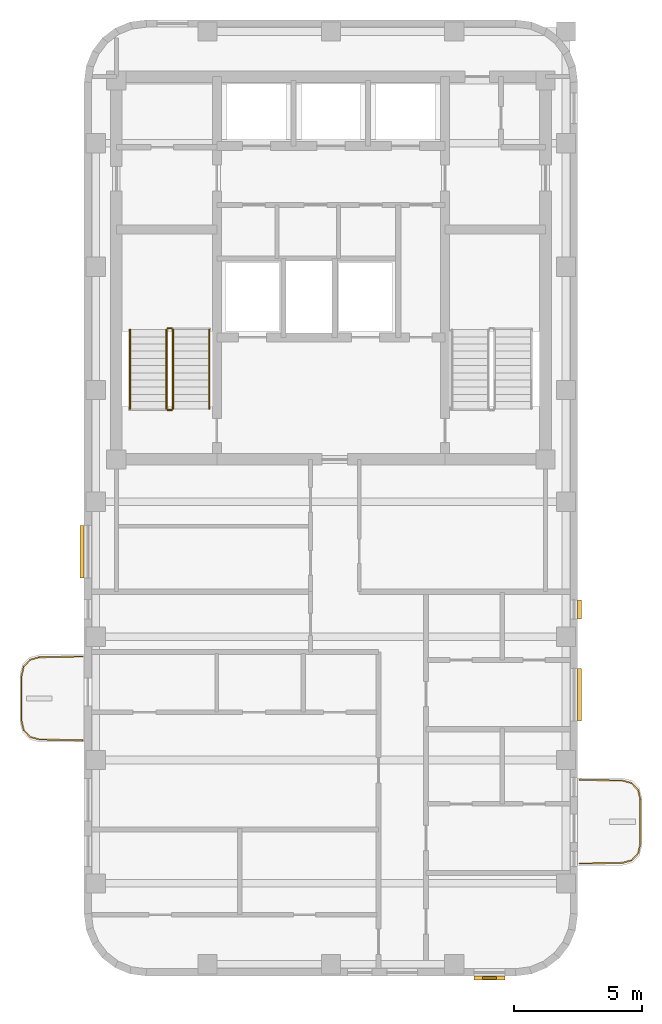
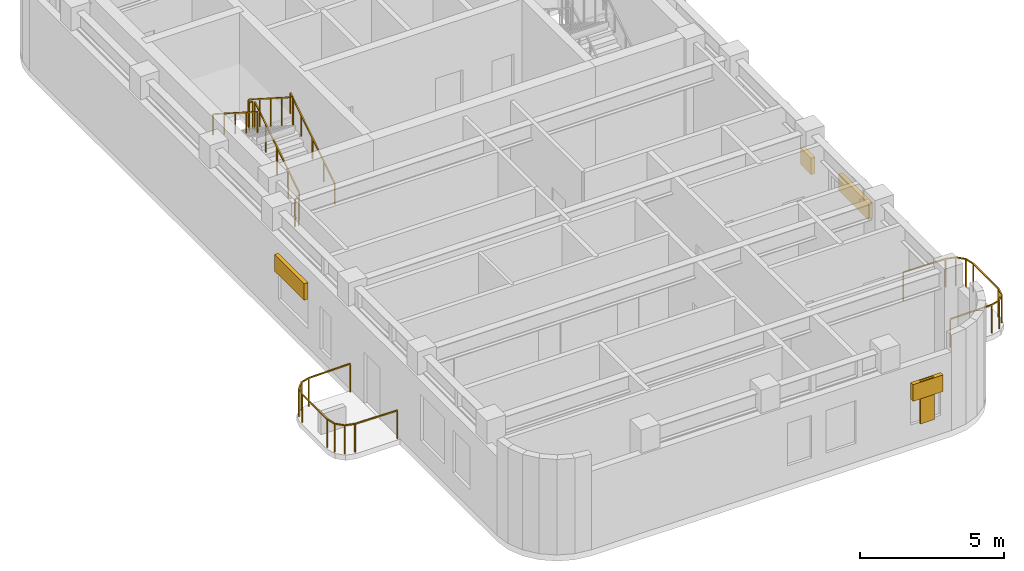
# One storey, part 6 of 7: 8 railings, 5 shading devices.
"""IFC4 building model written with IfcOpenShell, lengths in metres."""

from ifc_helpers import new_model, si_unit, direction, frame, origin, origin_2d, place, context, subcontext, project, spatial, rectangle, extrude, material, type_object, element, save


model = new_model("IFC4")

# Units and contexts
model_context = context("Model", 3, precision=1e-05, world=origin(), true_north=direction((0.0, 1.0)))
body_context = subcontext(model_context, "Body", "Model", "MODEL_VIEW")
ifc_project = project(units=[si_unit("LENGTHUNIT", "METRE"), si_unit("AREAUNIT", "SQUARE_METRE"), si_unit("VOLUMEUNIT", "CUBIC_METRE"), si_unit("PLANEANGLEUNIT", "RADIAN"), si_unit("MASSUNIT", "GRAM", prefix="KILO")], contexts=[model_context])

# Site, building, storey
site_placement = place(None, origin())
site = spatial("IfcSite", under=ifc_project, at=site_placement, CompositionType="ELEMENT")
building_placement = place(site_placement, origin())
building = spatial("IfcBuilding", under=site, at=building_placement, Name="Orvandelia Arch Residences", CompositionType="ELEMENT")
storey_placement = place(building_placement, frame((0.0, 0.0, 269.89990234375)))
storey = spatial("IfcBuildingStorey", under=building, at=storey_placement, Name="L70", CompositionType="ELEMENT", Elevation=269.89990234375)

# Railings
ifc_material_1 = material(Name="Marine-Grade Stainless Steel 316", Category="steel")
railing_type_1 = type_object("IfcRailingType", Name="GRD-BAL-1200", PredefinedType="BALUSTRADE", material=ifc_material_1)
railing_1_placement = place(storey_placement, frame((4.728271484375, 23.23046875, 0.0)))
element("IfcRailing", 1, at=railing_1_placement, inside=storey, type_object=railing_type_1, Name="Safety Balustrade Guard GRD-L70-BAL-L70-W1-1", PredefinedType="BALUSTRADE", context=body_context, shape_type="SweptSolid", body=[
    extrude(rectangle(XDim=0.048095703125, YDim=0.048095703125, at=origin_2d()), frame((0.0, 0.0, 1.19580078125), z_axis=(-0.999834751713, -0.018178813668, 0.0), x_axis=(0.018178813668, -0.999834751713, 0.0)), (0.0, 0.0, 1.0), 1.6787109375),
    extrude(rectangle(XDim=0.048095703125, YDim=0.048095703125, at=origin_2d()), frame((-1.678466796875, -0.030517578125, 1.19580078125), z_axis=(-0.96348920644, -0.267747173792, 0.0), x_axis=(0.267747173792, -0.96348920644, 0.0)), (0.0, 0.0, 1.0), 0.36572265625),
    extrude(rectangle(XDim=0.048095703125, YDim=0.048095703125, at=origin_2d()), frame((-2.03076171875, -0.12841796875, 1.19580078125), z_axis=(-0.688627404251, -0.725115368831, 0.0), x_axis=(0.725115368831, -0.688627404251, 0.0)), (0.0, 0.0, 1.0), 0.367919921875),
    extrude(rectangle(XDim=0.048095703125, YDim=0.048095703125, at=origin_2d()), frame((-2.2841796875, -0.395263671875, 1.19580078125), z_axis=(-0.220461657419, -0.975395641577, 0.0), x_axis=(0.975395641577, -0.220461657419, 0.0)), (0.0, 0.0, 1.0), 0.373291015625),
    extrude(rectangle(XDim=0.048095703125, YDim=0.048095703125, at=origin_2d()), frame((-2.366455078125, -0.75927734375, 1.19580078125), z_axis=(0.0, -1.0, 0.0), x_axis=(1.0, 0.0, 0.0)), (0.0, 0.0, 1.0), 1.742431640625),
    extrude(rectangle(XDim=0.048095703125, YDim=0.048095703125, at=origin_2d()), frame((-2.366455078125, -2.501708984375, 1.19580078125), z_axis=(0.220602419982, -0.975363815352, 0.0), x_axis=(0.975363815352, 0.220602419982, 0.0)), (0.0, 0.0, 1.0), 0.373046875),
    extrude(rectangle(XDim=0.048095703125, YDim=0.048095703125, at=origin_2d()), frame((-2.2841796875, -2.865478515625, 1.19580078125), z_axis=(0.688296224633, -0.725429739642, 0.0), x_axis=(0.725429739642, 0.688296224633, 0.0)), (0.0, 0.0, 1.0), 0.3681640625),
    extrude(rectangle(XDim=0.048095703125, YDim=0.048095703125, at=origin_2d()), frame((-2.03076171875, -3.132568359375, 1.19580078125), z_axis=(0.96348920644, -0.267747173792, 0.0), x_axis=(0.267747173792, 0.96348920644, 0.0)), (0.0, 0.0, 1.0), 0.36572265625),
    extrude(rectangle(XDim=0.048095703125, YDim=0.048095703125, at=origin_2d()), frame((-1.678466796875, -3.23046875, 1.19580078125), z_axis=(0.999834751713, -0.018178813668, 0.0), x_axis=(0.018178813668, 0.999834751713, 0.0)), (0.0, 0.0, 1.0), 1.6787109375),
    extrude(rectangle(XDim=0.0419921875, YDim=0.0419921875, at=origin_2d()), origin(), (0.0, 0.0, 1.0), 1.171875),
    extrude(rectangle(XDim=0.0419921875, YDim=0.0419921875, at=origin_2d()), frame((-1.678466796875, -0.030517578125, 0.0)), (0.0, 0.0, 1.0), 1.171875),
    extrude(rectangle(XDim=0.0419921875, YDim=0.0419921875, at=origin_2d()), frame((-2.03076171875, -0.12841796875, 0.0)), (0.0, 0.0, 1.0), 1.171875),
    extrude(rectangle(XDim=0.0419921875, YDim=0.0419921875, at=origin_2d()), frame((-2.2841796875, -0.395263671875, 0.0)), (0.0, 0.0, 1.0), 1.171875),
    extrude(rectangle(XDim=0.0419921875, YDim=0.0419921875, at=origin_2d()), frame((-2.366455078125, -0.75927734375, 0.0)), (0.0, 0.0, 1.0), 1.171875),
    extrude(rectangle(XDim=0.0419921875, YDim=0.0419921875, at=origin_2d()), frame((-2.366455078125, -2.501708984375, 0.0)), (0.0, 0.0, 1.0), 1.171875),
    extrude(rectangle(XDim=0.0419921875, YDim=0.0419921875, at=origin_2d()), frame((-2.2841796875, -2.865478515625, 0.0)), (0.0, 0.0, 1.0), 1.171875),
    extrude(rectangle(XDim=0.0419921875, YDim=0.0419921875, at=origin_2d()), frame((-2.03076171875, -3.132568359375, 0.0)), (0.0, 0.0, 1.0), 1.171875),
    extrude(rectangle(XDim=0.0419921875, YDim=0.0419921875, at=origin_2d()), frame((-1.678466796875, -3.23046875, 0.0)), (0.0, 0.0, 1.0), 1.171875),
    extrude(rectangle(XDim=0.0419921875, YDim=0.0419921875, at=origin_2d()), frame((0.0, -3.260986328125, 0.0)), (0.0, 0.0, 1.0), 1.171875),
])
railing_2_placement = place(storey_placement, frame((24.07177734375, 15.169677734375, 0.0)))
element("IfcRailing", 2, at=railing_2_placement, inside=storey, type_object=railing_type_1, Name="Safety Balustrade Guard GRD-L70-BAL-L70-W2-1", PredefinedType="BALUSTRADE", context=body_context, shape_type="SweptSolid", body=[
    extrude(rectangle(XDim=0.048095703125, YDim=0.048095703125, at=origin_2d()), frame((0.0, 0.0, 1.19580078125), z_axis=(0.999837384468, 0.018033430643, 0.0), x_axis=(-0.018033430643, 0.999837384468, 0.0)), (0.0, 0.0, 1.0), 1.6787109375),
    extrude(rectangle(XDim=0.048095703125, YDim=0.048095703125, at=origin_2d()), frame((1.678466796875, 0.0302734375, 1.19580078125), z_axis=(0.96348920644, 0.267747173792, 0.0), x_axis=(-0.267747173792, 0.96348920644, 0.0)), (0.0, 0.0, 1.0), 0.36572265625),
    extrude(rectangle(XDim=0.048095703125, YDim=0.048095703125, at=origin_2d()), frame((2.03076171875, 0.128173828125, 1.19580078125), z_axis=(0.687947031175, 0.725760898848, 0.0), x_axis=(-0.725760898848, 0.687947031175, 0.0)), (0.0, 0.0, 1.0), 0.367919921875),
    extrude(rectangle(XDim=0.048095703125, YDim=0.048095703125, at=origin_2d()), frame((2.283935546875, 0.395263671875, 1.19580078125), z_axis=(0.221225034864, 0.975222786828, 0.0), x_axis=(-0.975222786828, 0.221225034864, 0.0)), (0.0, 0.0, 1.0), 0.373046875),
    extrude(rectangle(XDim=0.048095703125, YDim=0.048095703125, at=origin_2d()), frame((2.366455078125, 0.759033203125, 1.19580078125), z_axis=(0.0, 1.0, 0.0), x_axis=(-1.0, 0.0, 0.0)), (0.0, 0.0, 1.0), 1.74267578125),
    extrude(rectangle(XDim=0.048095703125, YDim=0.048095703125, at=origin_2d()), frame((2.366455078125, 2.501708984375, 1.19580078125), z_axis=(-0.221225034864, 0.975222786828, 0.0), x_axis=(-0.975222786828, -0.221225034864, 0.0)), (0.0, 0.0, 1.0), 0.373046875),
    extrude(rectangle(XDim=0.048095703125, YDim=0.048095703125, at=origin_2d()), frame((2.283935546875, 2.865478515625, 1.19580078125), z_axis=(-0.688278345278, 0.725446703364, 0.0), x_axis=(-0.725446703364, -0.688278345278, 0.0)), (0.0, 0.0, 1.0), 0.367919921875),
    extrude(rectangle(XDim=0.048095703125, YDim=0.048095703125, at=origin_2d()), frame((2.03076171875, 3.13232421875, 1.19580078125), z_axis=(-0.96348920644, 0.267747173792, 0.0), x_axis=(-0.267747173792, -0.96348920644, 0.0)), (0.0, 0.0, 1.0), 0.36572265625),
    extrude(rectangle(XDim=0.048095703125, YDim=0.048095703125, at=origin_2d()), frame((1.678466796875, 3.230224609375, 1.19580078125), z_axis=(-0.999834751713, 0.018178813668, 0.0), x_axis=(-0.018178813668, -0.999834751713, 0.0)), (0.0, 0.0, 1.0), 1.6787109375),
    extrude(rectangle(XDim=0.0419921875, YDim=0.0419921875, at=origin_2d()), origin(), (0.0, 0.0, 1.0), 1.171875),
    extrude(rectangle(XDim=0.0419921875, YDim=0.0419921875, at=origin_2d()), frame((1.678466796875, 0.0302734375, 0.0)), (0.0, 0.0, 1.0), 1.171875),
    extrude(rectangle(XDim=0.0419921875, YDim=0.0419921875, at=origin_2d()), frame((2.03076171875, 0.128173828125, 0.0)), (0.0, 0.0, 1.0), 1.171875),
    extrude(rectangle(XDim=0.0419921875, YDim=0.0419921875, at=origin_2d()), frame((2.283935546875, 0.395263671875, 0.0)), (0.0, 0.0, 1.0), 1.171875),
    extrude(rectangle(XDim=0.0419921875, YDim=0.0419921875, at=origin_2d()), frame((2.366455078125, 0.759033203125, 0.0)), (0.0, 0.0, 1.0), 1.171875),
    extrude(rectangle(XDim=0.0419921875, YDim=0.0419921875, at=origin_2d()), frame((2.366455078125, 2.501708984375, 0.0)), (0.0, 0.0, 1.0), 1.171875),
    extrude(rectangle(XDim=0.0419921875, YDim=0.0419921875, at=origin_2d()), frame((2.283935546875, 2.865478515625, 0.0)), (0.0, 0.0, 1.0), 1.171875),
    extrude(rectangle(XDim=0.0419921875, YDim=0.0419921875, at=origin_2d()), frame((2.03076171875, 3.13232421875, 0.0)), (0.0, 0.0, 1.0), 1.171875),
    extrude(rectangle(XDim=0.0419921875, YDim=0.0419921875, at=origin_2d()), frame((1.678466796875, 3.230224609375, 0.0)), (0.0, 0.0, 1.0), 1.171875),
    extrude(rectangle(XDim=0.0419921875, YDim=0.0419921875, at=origin_2d()), frame((0.0, 3.2607421875, 0.0)), (0.0, 0.0, 1.0), 1.171875),
])
ifc_material_2 = material(Name="Brushed Stainless Steel 304", Category="steel")
railing_type_2 = type_object("IfcRailingType", Name="RL-STAIR-GD1120", PredefinedType="GUARDRAIL", material=ifc_material_2)
railing_3_placement = place(storey_placement, frame((8.25, 32.8701171875, 0.17919921875)))
element("IfcRailing", 3, at=railing_3_placement, inside=storey, type_object=railing_type_2, Name="L70 ST-1 stair guard 1", PredefinedType="GUARDRAIL", context=body_context, shape_type="SweptSolid", body=[
    extrude(rectangle(XDim=0.048095703125, YDim=0.048095703125, at=origin_2d()), frame((0.0, 0.0, 1.17578125), z_axis=(0.0, 0.842289589211, 0.539025275759), x_axis=(-1.0, 0.0, 0.0)), (0.0, 0.0, 1.0), 3.656494140625),
    extrude(rectangle(XDim=0.0419921875, YDim=0.0419921875, at=origin_2d()), origin(), (0.0, 0.0, 1.0), 1.15185546875),
    extrude(rectangle(XDim=0.0419921875, YDim=0.0419921875, at=origin_2d()), frame((0.0, 0.77001953125, 0.49267578125)), (0.0, 0.0, 1.0), 1.15185546875),
    extrude(rectangle(XDim=0.0419921875, YDim=0.0419921875, at=origin_2d()), frame((0.0, 1.5400390625, 0.9853515625)), (0.0, 0.0, 1.0), 1.15185546875),
    extrude(rectangle(XDim=0.0419921875, YDim=0.0419921875, at=origin_2d()), frame((0.0, 2.309814453125, 1.478271484375)), (0.0, 0.0, 1.0), 1.15185546875),
    extrude(rectangle(XDim=0.0419921875, YDim=0.0419921875, at=origin_2d()), frame((0.0, 3.079833984375, 1.970947265625)), (0.0, 0.0, 1.0), 1.15185546875),
])
railing_4_placement = place(storey_placement, frame((8.199951171875, 36.0, 2.150146484375)))
element("IfcRailing", 4, at=railing_4_placement, inside=storey, type_object=railing_type_2, Name="L70 ST-1 stair guard 2", PredefinedType="GUARDRAIL", context=body_context, shape_type="SweptSolid", body=[
    extrude(rectangle(XDim=0.048095703125, YDim=0.048095703125, at=origin_2d()), frame((0.0, 0.0, 1.17578125), z_axis=(-1.0, 0.0, 0.0), x_axis=(0.0, -1.0, 0.0)), (0.0, 0.0, 1.0), 0.14990234375),
    extrude(rectangle(XDim=0.0419921875, YDim=0.0419921875, at=origin_2d()), origin(), (0.0, 0.0, 1.0), 1.15185546875),
    extrude(rectangle(XDim=0.0419921875, YDim=0.0419921875, at=origin_2d()), frame((-0.14990234375, 0.0, 0.0)), (0.0, 0.0, 1.0), 1.15185546875),
])
railing_5_placement = place(storey_placement, frame((8.0, 35.949951171875, 2.329345703125)))
element("IfcRailing", 5, at=railing_5_placement, inside=storey, type_object=railing_type_2, Name="L70 ST-1 stair guard 3", PredefinedType="GUARDRAIL", context=body_context, shape_type="SweptSolid", body=[
    extrude(rectangle(XDim=0.048095703125, YDim=0.048095703125, at=origin_2d()), frame((0.0, 0.0, 1.17578125), z_axis=(0.0, -0.842319903074, 0.538977903893), x_axis=(1.0, 0.0, 0.0)), (0.0, 0.0, 1.0), 3.65625),
    extrude(rectangle(XDim=0.0419921875, YDim=0.0419921875, at=origin_2d()), origin(), (0.0, 0.0, 1.0), 1.15185546875),
    extrude(rectangle(XDim=0.0419921875, YDim=0.0419921875, at=origin_2d()), frame((0.0, -0.77001953125, 0.49267578125)), (0.0, 0.0, 1.0), 1.15185546875),
    extrude(rectangle(XDim=0.0419921875, YDim=0.0419921875, at=origin_2d()), frame((0.0, -1.5400390625, 0.9853515625)), (0.0, 0.0, 1.0), 1.15185546875),
    extrude(rectangle(XDim=0.0419921875, YDim=0.0419921875, at=origin_2d()), frame((0.0, -2.309814453125, 1.47802734375)), (0.0, 0.0, 1.0), 1.15185546875),
    extrude(rectangle(XDim=0.0419921875, YDim=0.0419921875, at=origin_2d()), frame((0.0, -3.079833984375, 1.970703125)), (0.0, 0.0, 1.0), 1.15185546875),
])
railing_6_placement = place(storey_placement, frame((8.199951171875, 32.820068359375, 0.0)))
element("IfcRailing", 6, at=railing_6_placement, inside=storey, type_object=railing_type_2, Name="L70 ST-1 stair guard 4", PredefinedType="GUARDRAIL", context=body_context, shape_type="SweptSolid", body=[
    extrude(rectangle(XDim=0.048095703125, YDim=0.048095703125, at=origin_2d()), frame((0.0, 0.0, 1.17578125), z_axis=(-1.0, 0.0, 0.0), x_axis=(0.0, -1.0, 0.0)), (0.0, 0.0, 1.0), 0.14990234375),
    extrude(rectangle(XDim=0.0419921875, YDim=0.0419921875, at=origin_2d()), origin(), (0.0, 0.0, 1.0), 1.15185546875),
    extrude(rectangle(XDim=0.0419921875, YDim=0.0419921875, at=origin_2d()), frame((-0.14990234375, 0.0, 0.0)), (0.0, 0.0, 1.0), 1.15185546875),
])
railing_type_3 = type_object("IfcRailingType", Name="RL-STAIR-HR920", PredefinedType="HANDRAIL", material=ifc_material_2)
railing_7_placement = place(storey_placement, frame((9.669921875, 32.8701171875, 0.3583984375)))
element("IfcRailing", 7, at=railing_7_placement, inside=storey, type_object=railing_type_3, Name="L70 ST-1 stair handrail 1", PredefinedType="HANDRAIL", context=body_context, shape_type="SweptSolid", body=[
    extrude(rectangle(XDim=0.048095703125, YDim=0.048095703125, at=origin_2d()), frame((0.0, 0.0, 0.8759765625), z_axis=(0.0, 0.842289589211, 0.539025275759), x_axis=(-1.0, 0.0, 0.0)), (0.0, 0.0, 1.0), 3.656494140625),
    extrude(rectangle(XDim=0.0419921875, YDim=0.0419921875, at=origin_2d()), origin(), (0.0, 0.0, 1.0), 0.851806640625),
    extrude(rectangle(XDim=0.0419921875, YDim=0.0419921875, at=origin_2d()), frame((0.0, 0.77001953125, 0.49267578125)), (0.0, 0.0, 1.0), 0.851806640625),
    extrude(rectangle(XDim=0.0419921875, YDim=0.0419921875, at=origin_2d()), frame((0.0, 1.5400390625, 0.9853515625)), (0.0, 0.0, 1.0), 0.851806640625),
    extrude(rectangle(XDim=0.0419921875, YDim=0.0419921875, at=origin_2d()), frame((0.0, 2.309814453125, 1.478271484375)), (0.0, 0.0, 1.0), 0.851806640625),
    extrude(rectangle(XDim=0.0419921875, YDim=0.0419921875, at=origin_2d()), frame((0.0, 3.079833984375, 1.970947265625)), (0.0, 0.0, 1.0), 0.851806640625),
])
railing_8_placement = place(storey_placement, frame((6.580078125, 35.949951171875, 2.508544921875)))
element("IfcRailing", 8, at=railing_8_placement, inside=storey, type_object=railing_type_3, Name="L70 ST-1 stair handrail 2", PredefinedType="HANDRAIL", context=body_context, shape_type="SweptSolid", body=[
    extrude(rectangle(XDim=0.048095703125, YDim=0.048095703125, at=origin_2d()), frame((0.0, 0.0, 0.8759765625), z_axis=(0.0, -0.842319903074, 0.538977903893), x_axis=(1.0, 0.0, 0.0)), (0.0, 0.0, 1.0), 3.65625),
    extrude(rectangle(XDim=0.0419921875, YDim=0.0419921875, at=origin_2d()), origin(), (0.0, 0.0, 1.0), 0.851806640625),
    extrude(rectangle(XDim=0.0419921875, YDim=0.0419921875, at=origin_2d()), frame((0.0, -0.77001953125, 0.49267578125)), (0.0, 0.0, 1.0), 0.851806640625),
    extrude(rectangle(XDim=0.0419921875, YDim=0.0419921875, at=origin_2d()), frame((0.0, -1.5400390625, 0.9853515625)), (0.0, 0.0, 1.0), 0.851806640625),
    extrude(rectangle(XDim=0.0419921875, YDim=0.0419921875, at=origin_2d()), frame((0.0, -2.309814453125, 1.47802734375)), (0.0, 0.0, 1.0), 0.851806640625),
    extrude(rectangle(XDim=0.0419921875, YDim=0.0419921875, at=origin_2d()), frame((0.0, -3.079833984375, 1.970703125)), (0.0, 0.0, 1.0), 0.851806640625),
])

# Shading devices
ifc_material_3 = material(Name="Anodised Champagne-Bronze Extruded Aluminium", Category="aluminium")
shading_device_type_1 = type_object("IfcShadingDeviceType", Name="SHD-JALOUSIE-SCREEN", PredefinedType="JALOUSIE", material=ifc_material_3)
shading_device_1_placement = place(storey_placement, frame((24.080078125, 21.74609375, 2.05029296875), z_axis=(0.0, 0.0, 1.0), x_axis=(0.0, -1.0, 0.0)))
element("IfcShadingDevice", 9, at=shading_device_1_placement, inside=storey, type_object=shading_device_type_1, Name="Bronze Jalousie Sun-Shade L70-001", PredefinedType="JALOUSIE", context=body_context, shape_type="SweptSolid", body=[
    extrude(rectangle(XDim=2.050048828125, YDim=0.159912109375, at=origin_2d()), origin(), (0.0, 0.0, 1.0), 0.699951171875),
])
shading_device_2_placement = place(storey_placement, frame((24.080078125, 25.0576171875, 1.55029296875), z_axis=(0.0, 0.0, 1.0), x_axis=(0.0, -1.0, 0.0)))
element("IfcShadingDevice", 10, at=shading_device_2_placement, inside=storey, type_object=shading_device_type_1, Name="Bronze Jalousie Sun-Shade L70-002", PredefinedType="JALOUSIE", context=body_context, shape_type="SweptSolid", body=[
    extrude(rectangle(XDim=0.75, YDim=0.159912109375, at=origin_2d()), origin(), (0.0, 0.0, 1.0), 0.699951171875),
])
shading_device_3_placement = place(storey_placement, frame((20.5673828125, 10.719970703125, 1.89990234375), z_axis=(0.0, 0.0, 1.0), x_axis=(-1.0, 0.0, 0.0)))
element("IfcShadingDevice", 11, at=shading_device_3_placement, inside=storey, type_object=shading_device_type_1, Name="Bronze Jalousie Sun-Shade L70-003", PredefinedType="JALOUSIE", context=body_context, shape_type="SweptSolid", body=[
    extrude(rectangle(XDim=1.199951171875, YDim=0.159912109375, at=origin_2d()), origin(), (0.0, 0.0, 1.0), 0.699951171875),
])
shading_device_4_placement = place(storey_placement, frame((4.719970703125, 27.3076171875, 2.05029296875), z_axis=(0.0, 0.0, 1.0), x_axis=(0.0, 1.0, 0.0)))
element("IfcShadingDevice", 12, at=shading_device_4_placement, inside=storey, type_object=shading_device_type_1, Name="Bronze Jalousie Sun-Shade L70-004", PredefinedType="JALOUSIE", context=body_context, shape_type="SweptSolid", body=[
    extrude(rectangle(XDim=2.050048828125, YDim=0.159912109375, at=origin_2d()), origin(), (0.0, 0.0, 1.0), 0.699951171875),
])
ifc_material_4 = material(Name="Marine-Grade Perforated Aluminium Storm Shutter", Category="aluminium")
shading_device_type_2 = type_object("IfcShadingDeviceType", Name="SHD-STORM-SHUTTER", PredefinedType="SHUTTER", material=ifc_material_4)
shading_device_5_placement = place(storey_placement, frame((20.5673828125, 10.719970703125, 0.80029296875), z_axis=(0.0, 0.0, 1.0), x_axis=(-1.0, 0.0, 0.0)))
element("IfcShadingDevice", 13, at=shading_device_5_placement, inside=storey, type_object=shading_device_type_2, Name="Operable Typhoon Storm Shutter L70-003", PredefinedType="SHUTTER", context=body_context, shape_type="SweptSolid", body=[
    extrude(rectangle(XDim=0.550048828125, YDim=0.080078125, at=origin_2d()), origin(), (0.0, 0.0, 1.0), 1.800048828125),
])

save(model, "model.ifc")
